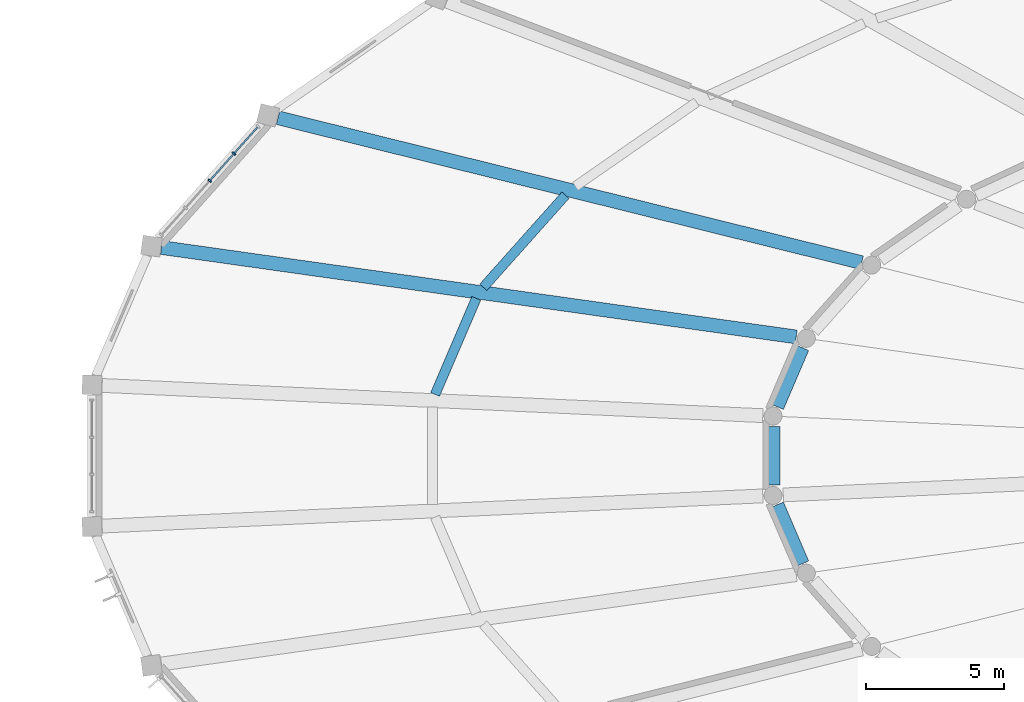
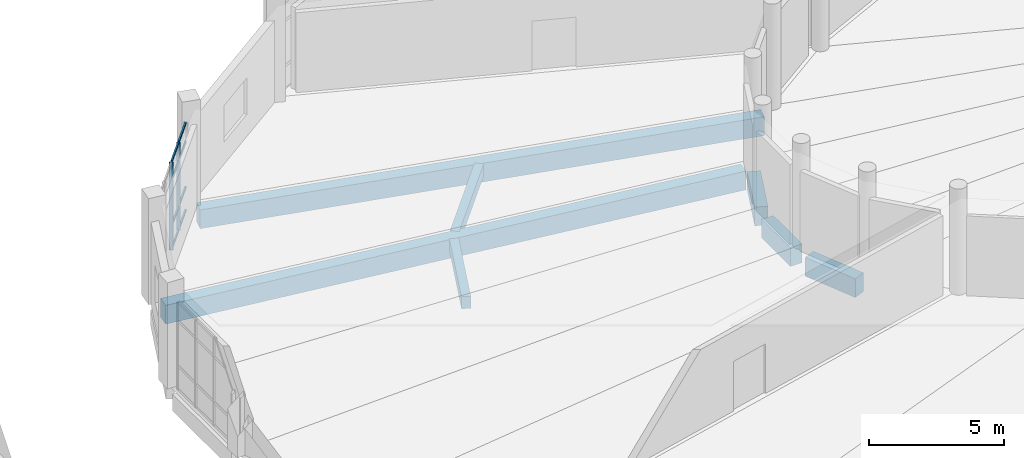
# One storey, part 34 of 179: 10 members, 7 beams, 1 element without a shape of its own.
"""IFC4 building model written with IfcOpenShell, lengths in metres."""

from ifc_helpers import new_model, si_unit, direction, frame, origin, origin_2d, place, context, subcontext, project, spatial, rectangle, extrude, material, layer, layer_set, material_profile, profile_set, type_object, element, aggregate, save


model = new_model("IFC4")

# Units and contexts
model_context = context("Model", 3, precision=1e-05, world=origin(), true_north=direction((0.0, 1.0)))
body_context = subcontext(model_context, "Body", "Model", "MODEL_VIEW")
ifc_project = project(units=[si_unit("LENGTHUNIT", "METRE"), si_unit("AREAUNIT", "SQUARE_METRE"), si_unit("VOLUMEUNIT", "CUBIC_METRE"), si_unit("PLANEANGLEUNIT", "RADIAN"), si_unit("MASSUNIT", "GRAM", prefix="KILO")], contexts=[model_context])

# Site, building, storey
site_placement = place(None, origin())
site = spatial("IfcSite", under=ifc_project, at=site_placement, CompositionType="ELEMENT")
building_placement = place(site_placement, origin())
building = spatial("IfcBuilding", under=site, at=building_placement, Name="Corvandel Quay Wholesale Market", CompositionType="ELEMENT")
storey_placement = place(building_placement, frame((0.0, 0.0, 6.0)))
storey = spatial("IfcBuildingStorey", under=building, at=storey_placement, Name="L01", CompositionType="ELEMENT", Elevation=6.0)

# Curtain wall, members
ifc_material_1 = material(Name="Bronze anodised aluminium and low-E insulated glazing", Category="aluminium")
ifc_layer = layer(ifc_material_1, 0.14990234375)
ifc_layer_set = layer_set([ifc_layer], Name="Bronze anodised aluminium and low-E insulated glazing")
curtain_wall_type = type_object("IfcCurtainWallType", Name="Stick Curtain Wall System CW20 H4800", PredefinedType="NOTDEFINED", material=ifc_layer_set)
curtain_wall_placement = place(storey_placement, origin())
curtain_wall = element("IfcCurtainWall", 1, at=curtain_wall_placement, inside=storey, type_object=curtain_wall_type, Name="Curtain Wall CW-0102", PredefinedType="NOTDEFINED")
ifc_material_2 = material(Name="Anodised aluminium 6063-T6", Category="aluminium")
ifc_material_profile_1 = material_profile(ifc_material_2, rectangle(XDim=0.06494140625, YDim=0.14990234375, at=origin_2d()), Name="ALU-MUL-65x150")
ifc_profile_set_1 = profile_set([ifc_material_profile_1], Name="Anodised aluminium 6063-T6")
member_type_1 = type_object("IfcMemberType", Name="Curtain Wall Mullion ML02 65x150", PredefinedType="MULLION", material=ifc_profile_set_1)
member_1_placement = place(storey_placement, frame((63.137939453125, 126.931396484375, 0.0), z_axis=(0.0, 0.0, 1.0), x_axis=(0.665621202286, 0.746289766155, 0.0)))
member_1 = element("IfcMember", 2, at=member_1_placement, type_object=member_type_1, Name="Mullion CW-0102-M01", PredefinedType="MULLION", context=body_context, shape_type="SweptSolid", body=[
    extrude(rectangle(XDim=0.06494140625, YDim=0.14990234375, at=origin_2d()), origin(), (0.0, 0.0, 1.0), 3.949951171875),
])
member_2_placement = place(storey_placement, frame((62.262451171875, 125.949951171875, 0.0), z_axis=(0.0, 0.0, 1.0), x_axis=(0.665621202286, 0.746289766155, 0.0)))
member_2 = element("IfcMember", 3, at=member_2_placement, type_object=member_type_1, Name="Mullion CW-0102-M02", PredefinedType="MULLION", context=body_context, shape_type="SweptSolid", body=[
    extrude(rectangle(XDim=0.06494140625, YDim=0.14990234375, at=origin_2d()), origin(), (0.0, 0.0, 1.0), 3.949951171875),
])
ifc_material_profile_2 = material_profile(ifc_material_2, rectangle(XDim=0.06005859375, YDim=0.110107421875, at=origin_2d()), Name="ALU-TRN-60x110")
ifc_profile_set_2 = profile_set([ifc_material_profile_2], Name="Anodised aluminium 6063-T6")
member_type_2 = type_object("IfcMemberType", Name="Curtain Wall Transom TR02 60x110", PredefinedType="USERDEFINED", material=ifc_profile_set_2)
member_3_placement = place(storey_placement, frame((63.991943359375, 127.888671875, 0.0), z_axis=(-0.665732423865, -0.746190551947, 0.0), x_axis=(0.746190551947, -0.665732423865, 0.0)))
member_3 = element("IfcMember", 4, at=member_3_placement, type_object=member_type_2, Name="Transom CW-0102-T00-0", ObjectType="TRANSOM", PredefinedType="USERDEFINED", context=body_context, shape_type="SweptSolid", body=[
    extrude(rectangle(XDim=0.06005859375, YDim=0.110107421875, at=origin_2d()), origin(), (0.0, 0.0, 1.0), 1.250244140625),
])
member_4_placement = place(storey_placement, frame((63.991943359375, 127.888671875, 1.050048828125), z_axis=(-0.665732423865, -0.746190551947, 0.0), x_axis=(0.746190551947, -0.665732423865, 0.0)))
member_4 = element("IfcMember", 5, at=member_4_placement, type_object=member_type_2, Name="Transom CW-0102-T00-1", ObjectType="TRANSOM", PredefinedType="USERDEFINED", context=body_context, shape_type="SweptSolid", body=[
    extrude(rectangle(XDim=0.06005859375, YDim=0.110107421875, at=origin_2d()), origin(), (0.0, 0.0, 1.0), 1.250244140625),
])
member_5_placement = place(storey_placement, frame((63.991943359375, 127.888671875, 3.10009765625), z_axis=(-0.665732423865, -0.746190551947, 0.0), x_axis=(0.746190551947, -0.665732423865, 0.0)))
member_5 = element("IfcMember", 6, at=member_5_placement, type_object=member_type_2, Name="Transom CW-0102-T00-2", ObjectType="TRANSOM", PredefinedType="USERDEFINED", context=body_context, shape_type="SweptSolid", body=[
    extrude(rectangle(XDim=0.06005859375, YDim=0.110107421875, at=origin_2d()), origin(), (0.0, 0.0, 1.0), 1.250244140625),
])
member_6_placement = place(storey_placement, frame((63.991943359375, 127.888671875, 3.949951171875), z_axis=(-0.665732423865, -0.746190551947, 0.0), x_axis=(0.746190551947, -0.665732423865, 0.0)))
member_6 = element("IfcMember", 7, at=member_6_placement, type_object=member_type_2, Name="Transom CW-0102-T00-3", ObjectType="TRANSOM", PredefinedType="USERDEFINED", context=body_context, shape_type="SweptSolid", body=[
    extrude(rectangle(XDim=0.06005859375, YDim=0.110107421875, at=origin_2d()), origin(), (0.0, 0.0, 1.0), 1.250244140625),
])
member_7_placement = place(storey_placement, frame((63.116455078125, 126.9072265625, 0.0), z_axis=(-0.665732423865, -0.746190551947, 0.0), x_axis=(0.746190551947, -0.665732423865, 0.0)))
member_7 = element("IfcMember", 8, at=member_7_placement, type_object=member_type_2, Name="Transom CW-0102-T01-0", ObjectType="TRANSOM", PredefinedType="USERDEFINED", context=body_context, shape_type="SweptSolid", body=[
    extrude(rectangle(XDim=0.06005859375, YDim=0.110107421875, at=origin_2d()), origin(), (0.0, 0.0, 1.0), 1.250244140625),
])
member_8_placement = place(storey_placement, frame((63.116455078125, 126.9072265625, 1.050048828125), z_axis=(-0.665732423865, -0.746190551947, 0.0), x_axis=(0.746190551947, -0.665732423865, 0.0)))
member_8 = element("IfcMember", 9, at=member_8_placement, type_object=member_type_2, Name="Transom CW-0102-T01-1", ObjectType="TRANSOM", PredefinedType="USERDEFINED", context=body_context, shape_type="SweptSolid", body=[
    extrude(rectangle(XDim=0.06005859375, YDim=0.110107421875, at=origin_2d()), origin(), (0.0, 0.0, 1.0), 1.250244140625),
])
member_9_placement = place(storey_placement, frame((63.116455078125, 126.9072265625, 3.10009765625), z_axis=(-0.665732423865, -0.746190551947, 0.0), x_axis=(0.746190551947, -0.665732423865, 0.0)))
member_9 = element("IfcMember", 10, at=member_9_placement, type_object=member_type_2, Name="Transom CW-0102-T01-2", ObjectType="TRANSOM", PredefinedType="USERDEFINED", context=body_context, shape_type="SweptSolid", body=[
    extrude(rectangle(XDim=0.06005859375, YDim=0.110107421875, at=origin_2d()), origin(), (0.0, 0.0, 1.0), 1.250244140625),
])
member_10_placement = place(storey_placement, frame((63.116455078125, 126.9072265625, 3.949951171875), z_axis=(-0.665732423865, -0.746190551947, 0.0), x_axis=(0.746190551947, -0.665732423865, 0.0)))
member_10 = element("IfcMember", 11, at=member_10_placement, type_object=member_type_2, Name="Transom CW-0102-T01-3", ObjectType="TRANSOM", PredefinedType="USERDEFINED", context=body_context, shape_type="SweptSolid", body=[
    extrude(rectangle(XDim=0.06005859375, YDim=0.110107421875, at=origin_2d()), origin(), (0.0, 0.0, 1.0), 1.250244140625),
])
aggregate(curtain_wall, [member_1, member_2, member_3, member_4, member_5, member_6, member_7, member_8, member_9, member_10])

# Beams
ifc_material_3 = material(Name="Precast concrete C45/55", Category="concrete")
ifc_material_profile_3 = material_profile(ifc_material_3, rectangle(XDim=0.5, YDim=0.85009765625, at=origin_2d()), Name="PC-GIR-500x850")
ifc_profile_set_3 = profile_set([ifc_material_profile_3], Name="Precast concrete C45/55")
beam_type_1 = type_object("IfcBeamType", Name="Fish Hall Radial Girder G04 500x850", PredefinedType="USERDEFINED", material=ifc_profile_set_3)
beam_1_placement = place(storey_placement, frame((64.732177734375, 128.226806640625, -0.705078125), z_axis=(0.970559518546, -0.240861414427, 0.0), x_axis=(0.240861414427, 0.970559518546, 0.0)))
element("IfcBeam", 12, at=beam_1_placement, inside=storey, type_object=beam_type_1, Name="Beam BM-0613", ObjectType="GIRDER", PredefinedType="USERDEFINED", context=body_context, shape_type="SweptSolid", body=[
    extrude(rectangle(XDim=0.5, YDim=0.85009765625, at=origin_2d()), origin(), (0.0, 0.0, 1.0), 21.75830078125),
])
beam_2_placement = place(storey_placement, frame((83.69921875, 119.906982421875, -0.705078125), z_axis=(-0.393741501962, -0.919221208215, 0.0), x_axis=(0.919221208215, -0.393741501962, 0.0)))
element("IfcBeam", 13, at=beam_2_placement, inside=storey, type_object=beam_type_1, Name="Beam BM-0619", ObjectType="GIRDER", PredefinedType="USERDEFINED", context=body_context, shape_type="SweptSolid", body=[
    extrude(rectangle(XDim=0.5, YDim=0.85009765625, at=origin_2d()), origin(), (0.0, 0.0, 1.0), 2.3203125),
])
beam_3_placement = place(storey_placement, frame((60.518310546875, 123.532470703125, -0.705078125), z_axis=(0.990226177407, -0.139470848487, 0.0), x_axis=(0.139470848487, 0.990226177407, 0.0)))
element("IfcBeam", 14, at=beam_3_placement, inside=storey, type_object=beam_type_1, Name="Beam BM-0620", ObjectType="GIRDER", PredefinedType="USERDEFINED", context=body_context, shape_type="SweptSolid", body=[
    extrude(rectangle(XDim=0.5, YDim=0.85009765625, at=origin_2d()), origin(), (0.0, 0.0, 1.0), 23.186767578125),
])
beam_4_placement = place(storey_placement, frame((82.639892578125, 117.06396484375, -0.705078125), z_axis=(0.0, -1.0, 0.0), x_axis=(1.0, 0.0, 0.0)))
element("IfcBeam", 15, at=beam_4_placement, inside=storey, type_object=beam_type_1, Name="Beam BM-0626", ObjectType="GIRDER", PredefinedType="USERDEFINED", context=body_context, shape_type="SweptSolid", body=[
    extrude(rectangle(XDim=0.5, YDim=0.85009765625, at=origin_2d()), origin(), (0.0, 0.0, 1.0), 2.1279296875),
])
beam_5_placement = place(storey_placement, frame((82.78564453125, 114.225830078125, -0.705078125), z_axis=(0.393741501962, -0.919221208215, 0.0), x_axis=(0.919221208215, 0.393741501962, 0.0)))
element("IfcBeam", 16, at=beam_5_placement, inside=storey, type_object=beam_type_1, Name="Beam BM-0633", ObjectType="GIRDER", PredefinedType="USERDEFINED", context=body_context, shape_type="SweptSolid", body=[
    extrude(rectangle(XDim=0.5, YDim=0.85009765625, at=origin_2d()), origin(), (0.0, 0.0, 1.0), 2.3203125),
])
ifc_material_profile_4 = material_profile(ifc_material_3, rectangle(XDim=0.35009765625, YDim=0.550048828125, at=origin_2d()), Name="PC-BM-350x550")
ifc_profile_set_4 = profile_set([ifc_material_profile_4], Name="Precast concrete C45/55")
beam_type_2 = type_object("IfcBeamType", Name="Standard Floor Secondary Beam B03 350x550", PredefinedType="BEAM", material=ifc_profile_set_4)
beam_6_placement = place(storey_placement, frame((75.131103515625, 125.427490234375, -0.554931640625), z_axis=(-0.665642000542, -0.746271215521, 0.0), x_axis=(0.746271215521, -0.665642000542, 0.0)))
element("IfcBeam", 17, at=beam_6_placement, inside=storey, type_object=beam_type_2, Name="Beam BM-0614", PredefinedType="BEAM", context=body_context, shape_type="SweptSolid", body=[
    extrude(rectangle(XDim=0.35009765625, YDim=0.550048828125, at=origin_2d()), origin(), (0.0, 0.0, 1.0), 4.46630859375),
])
beam_7_placement = place(storey_placement, frame((71.904052734375, 121.69482421875, -0.554931640625), z_axis=(-0.393794654561, -0.91919843888, 0.0), x_axis=(0.91919843888, -0.393794654561, 0.0)))
element("IfcBeam", 18, at=beam_7_placement, inside=storey, type_object=beam_type_2, Name="Beam BM-0621", PredefinedType="BEAM", context=body_context, shape_type="SweptSolid", body=[
    extrude(rectangle(XDim=0.35009765625, YDim=0.550048828125, at=origin_2d()), origin(), (0.0, 0.0, 1.0), 3.782470703125),
])

save(model, "model.ifc")
